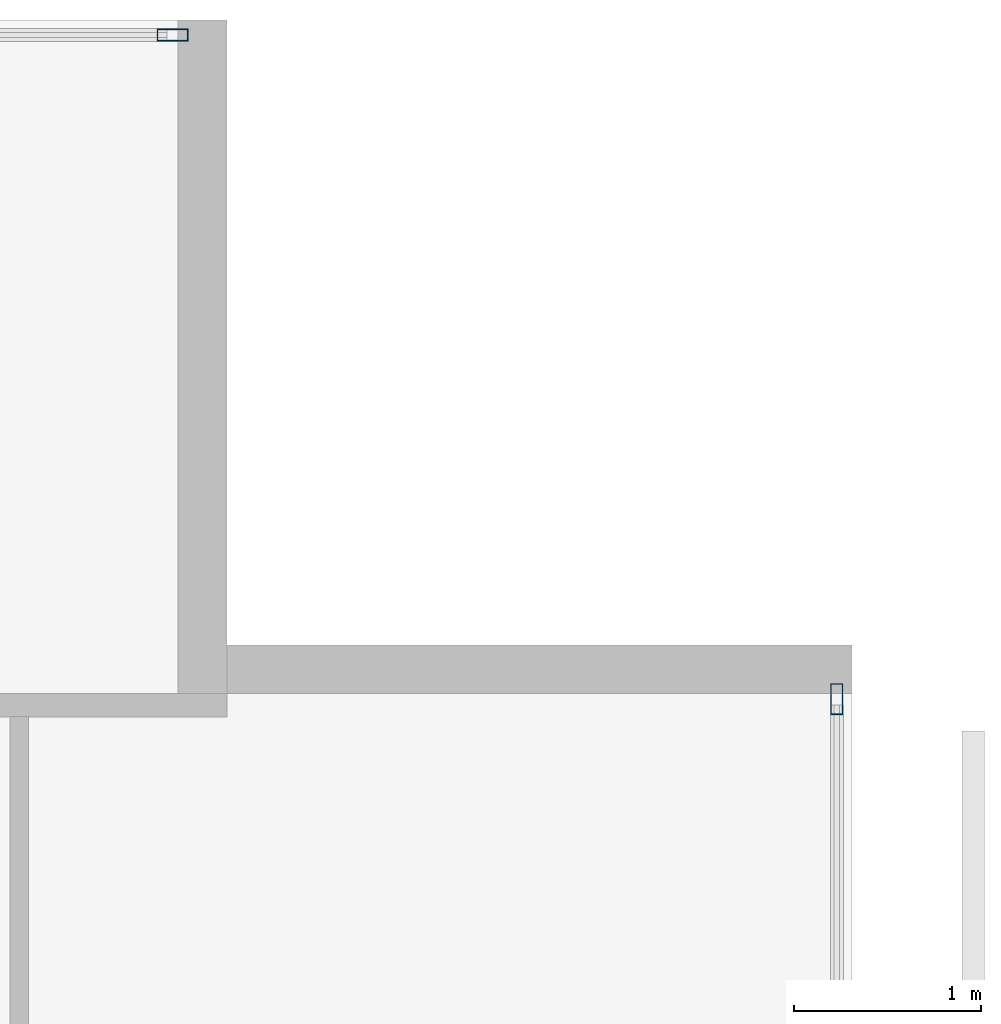
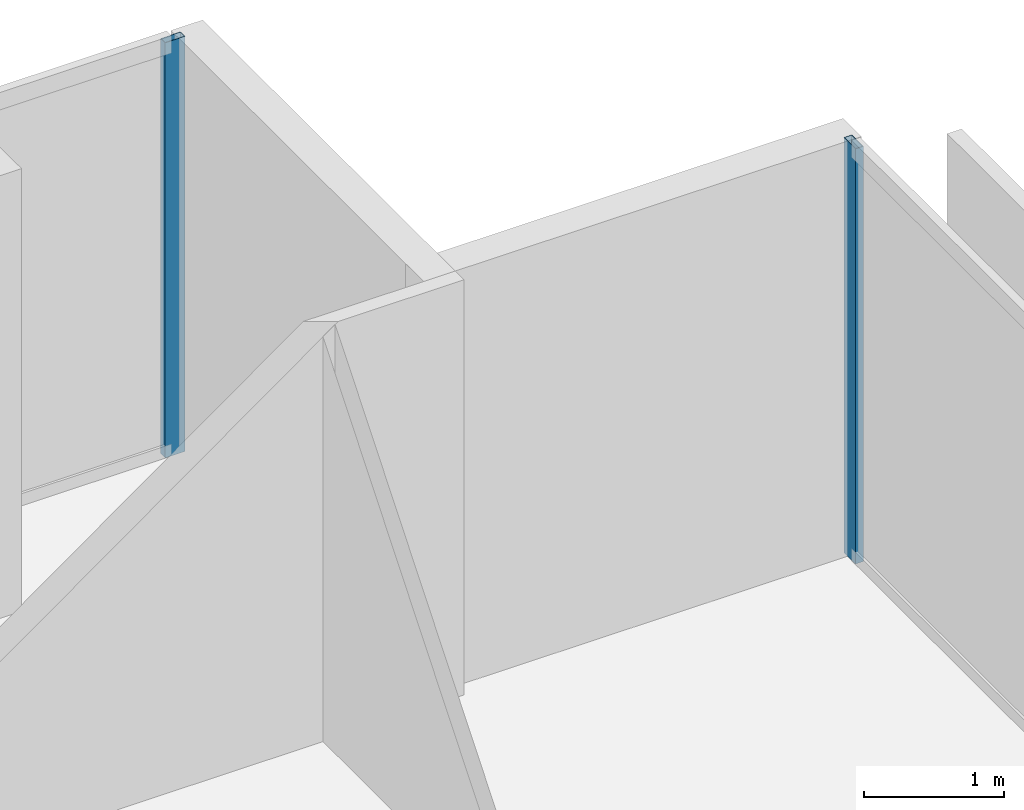
# One storey, part 31 of 41: 2 members, 2 elements without a shape of their own.
"""IFC4 building model written with IfcOpenShell, lengths in metres."""

from ifc_helpers import new_model, si_unit, direction, frame, origin, origin_2d, place, context, subcontext, project, spatial, hollow_rectangle, extrude, material, layer, layer_set, material_profile, profile_set, type_object, element, aggregate, save


model = new_model("IFC4")

# Units and contexts
model_context = context("Model", 3, precision=1e-05, world=origin(), true_north=direction((0.0, 1.0)))
body_context = subcontext(model_context, "Body", "Model", "MODEL_VIEW")
ifc_project = project(units=[si_unit("LENGTHUNIT", "METRE"), si_unit("AREAUNIT", "SQUARE_METRE"), si_unit("VOLUMEUNIT", "CUBIC_METRE"), si_unit("PLANEANGLEUNIT", "RADIAN"), si_unit("MASSUNIT", "GRAM", prefix="KILO")], contexts=[model_context])

# Site, building, storey
site_placement = place(None, origin())
site = spatial("IfcSite", under=ifc_project, at=site_placement, CompositionType="ELEMENT")
building_placement = place(site_placement, origin())
building = spatial("IfcBuilding", under=site, at=building_placement, Name="Maruvema Waterfront Hotel and Observation Tower", CompositionType="ELEMENT")
storey_placement = place(building_placement, frame((0.0, 0.0, 61.60009765625)))
storey = spatial("IfcBuildingStorey", under=building, at=storey_placement, Name="L14", CompositionType="ELEMENT", Elevation=61.60009765625)

# Curtain wall, member
ifc_material_1 = material(Name="Anodised bronze aluminium and solar-control low-E IGU", Category="aluminium")
ifc_layer = layer(ifc_material_1, 0.159912109375, Name="Zone 1 Bronze Inner Thermal Curtain Wall System CW-02")
ifc_layer_set = layer_set([ifc_layer], Name="Anodised bronze aluminium and solar-control low-E IGU")
curtain_wall_type = type_object("IfcCurtainWallType", Name="Zone 1 Bronze Inner Thermal Curtain Wall System CW-02", PredefinedType="USERDEFINED", material=ifc_layer_set)
curtain_wall_1_placement = place(storey_placement, origin())
curtain_wall_1 = element("IfcCurtainWall", 1, at=curtain_wall_1_placement, inside=storey, type_object=curtain_wall_type, Name="L14 Curtain Wall CW-L14-E", ObjectType="UNITISED CURTAIN WALL", PredefinedType="USERDEFINED")
ifc_material_2 = material(Name="Anodised architectural bronze aluminium", Category="aluminium")
ifc_material_profile = material_profile(ifc_material_2, hollow_rectangle(XDim=0.06494140625, YDim=0.1650390625, WallThickness=0.00390625, at=origin_2d()), Name="ALU-M65x165")
ifc_profile_set = profile_set([ifc_material_profile], Name="Anodised architectural bronze aluminium")
member_type = type_object("IfcMemberType", Name="Curtain Wall Primary Mullion ALU-M65x165", PredefinedType="MULLION", material=ifc_profile_set)
member_1_placement = place(storey_placement, frame((64.719970703125, 50.3701171875, 0.0), z_axis=(0.0, 0.0, 1.0), x_axis=(-1.0, 0.0, 0.0)))
member_1 = element("IfcMember", 2, at=member_1_placement, type_object=member_type, Name="CW-02 mullion 7", PredefinedType="MULLION", context=body_context, shape_type="SweptSolid", body=[
    extrude(hollow_rectangle(XDim=0.06494140625, YDim=0.1650390625, WallThickness=0.00390625, at=origin_2d()), origin(), (0.0, 0.0, 1.0), 3.60986328125),
])
aggregate(curtain_wall_1, [member_1])

curtain_wall_2_placement = place(storey_placement, origin())
curtain_wall_2 = element("IfcCurtainWall", 3, at=curtain_wall_2_placement, inside=storey, type_object=curtain_wall_type, Name="L14 Curtain Wall CW-L14-NE", ObjectType="UNITISED CURTAIN WALL", PredefinedType="USERDEFINED")
member_2_placement = place(storey_placement, frame((61.169921875, 53.919921875, 0.0), z_axis=(0.0, 0.0, 1.0), x_axis=(0.0, -1.0, 0.0)))
member_2 = element("IfcMember", 4, at=member_2_placement, type_object=member_type, Name="CW-02 mullion 1", PredefinedType="MULLION", context=body_context, shape_type="SweptSolid", body=[
    extrude(hollow_rectangle(XDim=0.06494140625, YDim=0.1650390625, WallThickness=0.00390625, at=origin_2d()), origin(), (0.0, 0.0, 1.0), 3.60986328125),
])
aggregate(curtain_wall_2, [member_2])

save(model, "model.ifc")
